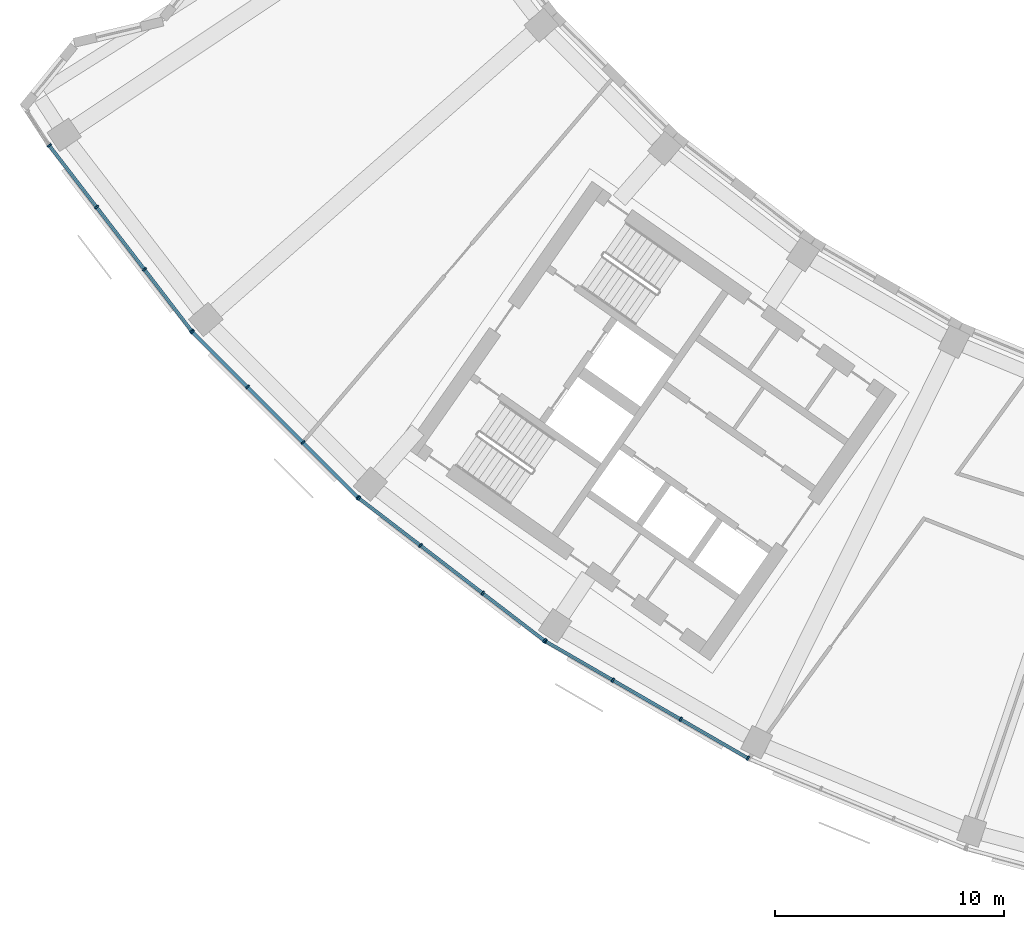
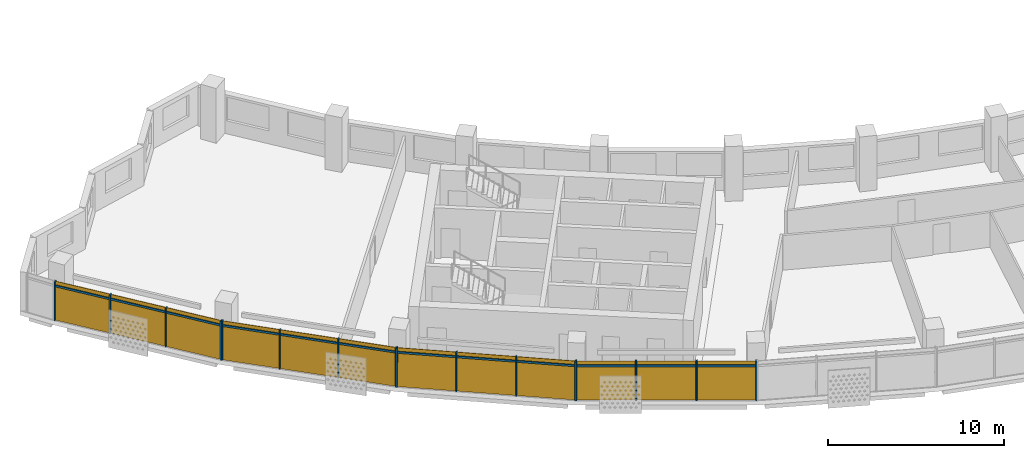
# One storey, part 18 of 28: 28 members, 4 curtain walls.
"""IFC4 building model written with IfcOpenShell, lengths in metres."""

from ifc_helpers import new_model, si_unit, direction, frame, origin, origin_2d, place, context, subcontext, project, spatial, rectangle, extrude, material, material_profile, profile_set, type_object, element, aggregate, save


model = new_model("IFC4")

# Units and contexts
model_context = context("Model", 3, precision=1e-05, world=origin(), true_north=direction((0.0, 1.0)))
body_context = subcontext(model_context, "Body", "Model", "MODEL_VIEW")
ifc_project = project(units=[si_unit("LENGTHUNIT", "METRE"), si_unit("AREAUNIT", "SQUARE_METRE"), si_unit("VOLUMEUNIT", "CUBIC_METRE"), si_unit("PLANEANGLEUNIT", "RADIAN"), si_unit("MASSUNIT", "GRAM", prefix="KILO")], contexts=[model_context])

# Member
ifc_material = material(Name="Aluminium 6063-T6 anodised", Category="aluminium")
ifc_material_profile_1 = material_profile(ifc_material, rectangle(XDim=0.199951171875, YDim=0.070068359375, at=origin_2d()))
ifc_profile_set_1 = profile_set([ifc_material_profile_1], Name="Aluminium 6063-T6 anodised")
member_type_1 = type_object("IfcMemberType", Name="Mullion 70 x 200 aluminium", PredefinedType="MULLION", material=ifc_profile_set_1)
site_placement = place(None, origin())
building_placement = place(site_placement, origin())
storey_placement = place(building_placement, frame((0.0, 0.0, 215.10009765625)))
member_1_placement = place(storey_placement, frame((-65.29443359375, -43.66259765625, 0.0), z_axis=(0.0, 0.0, 1.0), x_axis=(0.793353340291, 0.608761429009, 0.0)))
member_1 = element("IfcMember", 1, at=member_1_placement, type_object=member_type_1, Name="e-cw1-L51-out01/M00", PredefinedType="MULLION", context=body_context, shape_type="SweptSolid", body=[
    extrude(rectangle(XDim=0.199951171875, YDim=0.070068359375, at=origin_2d()), origin(), (0.0, 0.0, 1.0), 2.699951171875),
])

member_2_placement = place(storey_placement, frame((-63.22802734375, -46.35546875, 0.0), z_axis=(0.0, 0.0, 1.0), x_axis=(0.793353340291, 0.608761429009, 0.0)))
member_2 = element("IfcMember", 2, at=member_2_placement, type_object=member_type_1, Name="e-cw1-L51-out01/M01", PredefinedType="MULLION", context=body_context, shape_type="SweptSolid", body=[
    extrude(rectangle(XDim=0.199951171875, YDim=0.070068359375, at=origin_2d()), origin(), (0.0, 0.0, 1.0), 2.699951171875),
])

member_3_placement = place(storey_placement, frame((-61.140380859375, -49.075927734375, 0.0), z_axis=(0.0, 0.0, 1.0), x_axis=(0.793353340291, 0.608761429009, 0.0)))
member_3 = element("IfcMember", 3, at=member_3_placement, type_object=member_type_1, Name="e-cw1-L51-out01/M02", PredefinedType="MULLION", context=body_context, shape_type="SweptSolid", body=[
    extrude(rectangle(XDim=0.199951171875, YDim=0.070068359375, at=origin_2d()), origin(), (0.0, 0.0, 1.0), 2.699951171875),
])

member_4_placement = place(storey_placement, frame((-59.07421875, -51.768798828125, 0.0), z_axis=(0.0, 0.0, 1.0), x_axis=(0.793353340291, 0.608761429009, 0.0)))
member_4 = element("IfcMember", 4, at=member_4_placement, type_object=member_type_1, Name="e-cw1-L51-out01/M03", PredefinedType="MULLION", context=body_context, shape_type="SweptSolid", body=[
    extrude(rectangle(XDim=0.199951171875, YDim=0.070068359375, at=origin_2d()), origin(), (0.0, 0.0, 1.0), 2.699951171875),
])

member_5_placement = place(storey_placement, frame((-59.03662109375, -51.8115234375, 0.0), z_axis=(0.0, 0.0, 1.0), x_axis=(0.707106781187, 0.707106781187, 0.0)))
member_5 = element("IfcMember", 5, at=member_5_placement, type_object=member_type_1, Name="e-cw1-L51-out02/M00", PredefinedType="MULLION", context=body_context, shape_type="SweptSolid", body=[
    extrude(rectangle(XDim=0.199951171875, YDim=0.070068359375, at=origin_2d()), origin(), (0.0, 0.0, 1.0), 2.699951171875),
])

member_6_placement = place(storey_placement, frame((-56.63671875, -54.211669921875, 0.0), z_axis=(0.0, 0.0, 1.0), x_axis=(0.707106781187, 0.707106781187, 0.0)))
member_6 = element("IfcMember", 6, at=member_6_placement, type_object=member_type_1, Name="e-cw1-L51-out02/M01", PredefinedType="MULLION", context=body_context, shape_type="SweptSolid", body=[
    extrude(rectangle(XDim=0.199951171875, YDim=0.070068359375, at=origin_2d()), origin(), (0.0, 0.0, 1.0), 2.699951171875),
])

member_7_placement = place(storey_placement, frame((-54.211669921875, -56.63671875, 0.0), z_axis=(0.0, 0.0, 1.0), x_axis=(0.707106781187, 0.707106781187, 0.0)))
member_7 = element("IfcMember", 7, at=member_7_placement, type_object=member_type_1, Name="e-cw1-L51-out02/M02", PredefinedType="MULLION", context=body_context, shape_type="SweptSolid", body=[
    extrude(rectangle(XDim=0.199951171875, YDim=0.070068359375, at=origin_2d()), origin(), (0.0, 0.0, 1.0), 2.699951171875),
])

member_8_placement = place(storey_placement, frame((-51.8115234375, -59.03662109375, 0.0), z_axis=(0.0, 0.0, 1.0), x_axis=(0.707106781187, 0.707106781187, 0.0)))
member_8 = element("IfcMember", 8, at=member_8_placement, type_object=member_type_1, Name="e-cw1-L51-out02/M03", PredefinedType="MULLION", context=body_context, shape_type="SweptSolid", body=[
    extrude(rectangle(XDim=0.199951171875, YDim=0.070068359375, at=origin_2d()), origin(), (0.0, 0.0, 1.0), 2.699951171875),
])

member_9_placement = place(storey_placement, frame((-51.768798828125, -59.07421875, 0.0), z_axis=(0.0, 0.0, 1.0), x_axis=(0.608761429009, 0.793353340291, 0.0)))
member_9 = element("IfcMember", 9, at=member_9_placement, type_object=member_type_1, Name="e-cw1-L51-out03/M00", PredefinedType="MULLION", context=body_context, shape_type="SweptSolid", body=[
    extrude(rectangle(XDim=0.199951171875, YDim=0.070068359375, at=origin_2d()), origin(), (0.0, 0.0, 1.0), 2.699951171875),
])

member_10_placement = place(storey_placement, frame((-49.075927734375, -61.140380859375, 0.0), z_axis=(0.0, 0.0, 1.0), x_axis=(0.608761429009, 0.793353340291, 0.0)))
member_10 = element("IfcMember", 10, at=member_10_placement, type_object=member_type_1, Name="e-cw1-L51-out03/M01", PredefinedType="MULLION", context=body_context, shape_type="SweptSolid", body=[
    extrude(rectangle(XDim=0.199951171875, YDim=0.070068359375, at=origin_2d()), origin(), (0.0, 0.0, 1.0), 2.699951171875),
])

member_11_placement = place(storey_placement, frame((-46.35546875, -63.22802734375, 0.0), z_axis=(0.0, 0.0, 1.0), x_axis=(0.608761429009, 0.793353340291, 0.0)))
member_11 = element("IfcMember", 11, at=member_11_placement, type_object=member_type_1, Name="e-cw1-L51-out03/M02", PredefinedType="MULLION", context=body_context, shape_type="SweptSolid", body=[
    extrude(rectangle(XDim=0.199951171875, YDim=0.070068359375, at=origin_2d()), origin(), (0.0, 0.0, 1.0), 2.699951171875),
])

member_12_placement = place(storey_placement, frame((-43.66259765625, -65.29443359375, 0.0), z_axis=(0.0, 0.0, 1.0), x_axis=(0.608761429009, 0.793353340291, 0.0)))
member_12 = element("IfcMember", 12, at=member_12_placement, type_object=member_type_1, Name="e-cw1-L51-out03/M03", PredefinedType="MULLION", context=body_context, shape_type="SweptSolid", body=[
    extrude(rectangle(XDim=0.199951171875, YDim=0.070068359375, at=origin_2d()), origin(), (0.0, 0.0, 1.0), 2.699951171875),
])

member_13_placement = place(storey_placement, frame((-43.615234375, -65.325927734375, 0.0), z_axis=(0.0, 0.0, 1.0), x_axis=(0.5, 0.866025403784, 0.0)))
member_13 = element("IfcMember", 13, at=member_13_placement, type_object=member_type_1, Name="e-cw1-L51-out04/M00", PredefinedType="MULLION", context=body_context, shape_type="SweptSolid", body=[
    extrude(rectangle(XDim=0.199951171875, YDim=0.070068359375, at=origin_2d()), origin(), (0.0, 0.0, 1.0), 2.699951171875),
])

member_14_placement = place(storey_placement, frame((-40.67578125, -67.023193359375, 0.0), z_axis=(0.0, 0.0, 1.0), x_axis=(0.5, 0.866025403784, 0.0)))
member_14 = element("IfcMember", 14, at=member_14_placement, type_object=member_type_1, Name="e-cw1-L51-out04/M01", PredefinedType="MULLION", context=body_context, shape_type="SweptSolid", body=[
    extrude(rectangle(XDim=0.199951171875, YDim=0.070068359375, at=origin_2d()), origin(), (0.0, 0.0, 1.0), 2.699951171875),
])

member_15_placement = place(storey_placement, frame((-37.705810546875, -68.73779296875, 0.0), z_axis=(0.0, 0.0, 1.0), x_axis=(0.5, 0.866025403784, 0.0)))
member_15 = element("IfcMember", 15, at=member_15_placement, type_object=member_type_1, Name="e-cw1-L51-out04/M02", PredefinedType="MULLION", context=body_context, shape_type="SweptSolid", body=[
    extrude(rectangle(XDim=0.199951171875, YDim=0.070068359375, at=origin_2d()), origin(), (0.0, 0.0, 1.0), 2.699951171875),
])

member_16_placement = place(storey_placement, frame((-34.766357421875, -70.43505859375, 0.0), z_axis=(0.0, 0.0, 1.0), x_axis=(0.5, 0.866025403784, 0.0)))
member_16 = element("IfcMember", 16, at=member_16_placement, type_object=member_type_1, Name="e-cw1-L51-out04/M03", PredefinedType="MULLION", context=body_context, shape_type="SweptSolid", body=[
    extrude(rectangle(XDim=0.199951171875, YDim=0.070068359375, at=origin_2d()), origin(), (0.0, 0.0, 1.0), 2.699951171875),
])

ifc_material_profile_2 = material_profile(ifc_material, rectangle(XDim=0.139892578125, YDim=0.1201171875, at=origin_2d()))
ifc_profile_set_2 = profile_set([ifc_material_profile_2], Name="Aluminium 6063-T6 anodised")
member_type_2 = type_object("IfcMemberType", Name="Transom 120 x 140 aluminium", PredefinedType="USERDEFINED", material=ifc_profile_set_2)
member_17_placement = place(storey_placement, frame((-65.273193359375, -43.690185546875, 2.39990234375), z_axis=(0.608741393132, -0.793368713958, 0.0), x_axis=(0.793368713958, 0.608741393132, 0.0)))
member_17 = element("IfcMember", 17, at=member_17_placement, type_object=member_type_2, Name="e-cw1-L51-out01/T00", ObjectType="TRANSOM", PredefinedType="USERDEFINED", context=body_context, shape_type="SweptSolid", body=[
    extrude(rectangle(XDim=0.139892578125, YDim=0.1201171875, at=origin_2d()), origin(), (0.0, 0.0, 1.0), 3.324462890625),
])

member_18_placement = place(storey_placement, frame((-63.206787109375, -46.383056640625, 2.39990234375), z_axis=(0.608719861247, -0.793385234627, 0.0), x_axis=(0.793385234627, 0.608719861247, 0.0)))
member_18 = element("IfcMember", 18, at=member_18_placement, type_object=member_type_2, Name="e-cw1-L51-out01/T01", ObjectType="TRANSOM", PredefinedType="USERDEFINED", context=body_context, shape_type="SweptSolid", body=[
    extrude(rectangle(XDim=0.139892578125, YDim=0.1201171875, at=origin_2d()), origin(), (0.0, 0.0, 1.0), 3.359375),
])

member_19_placement = place(storey_placement, frame((-61.119140625, -49.103759765625, 2.39990234375), z_axis=(0.608741393132, -0.793368713958, 0.0), x_axis=(0.793368713958, 0.608741393132, 0.0)))
member_19 = element("IfcMember", 19, at=member_19_placement, type_object=member_type_2, Name="e-cw1-L51-out01/T02", ObjectType="TRANSOM", PredefinedType="USERDEFINED", context=body_context, shape_type="SweptSolid", body=[
    extrude(rectangle(XDim=0.139892578125, YDim=0.1201171875, at=origin_2d()), origin(), (0.0, 0.0, 1.0), 3.324462890625),
])

member_20_placement = place(storey_placement, frame((-59.011962890625, -51.83642578125, 2.39990234375), z_axis=(0.707106781187, -0.707106781187, 0.0), x_axis=(0.707106781187, 0.707106781187, 0.0)))
member_20 = element("IfcMember", 20, at=member_20_placement, type_object=member_type_2, Name="e-cw1-L51-out02/T00", ObjectType="TRANSOM", PredefinedType="USERDEFINED", context=body_context, shape_type="SweptSolid", body=[
    extrude(rectangle(XDim=0.139892578125, YDim=0.1201171875, at=origin_2d()), origin(), (0.0, 0.0, 1.0), 3.32421875),
])

member_21_placement = place(storey_placement, frame((-56.61181640625, -54.236572265625, 2.39990234375), z_axis=(0.707106781187, -0.707106781187, 0.0), x_axis=(0.707106781187, 0.707106781187, 0.0)))
member_21 = element("IfcMember", 21, at=member_21_placement, type_object=member_type_2, Name="e-cw1-L51-out02/T01", ObjectType="TRANSOM", PredefinedType="USERDEFINED", context=body_context, shape_type="SweptSolid", body=[
    extrude(rectangle(XDim=0.139892578125, YDim=0.1201171875, at=origin_2d()), origin(), (0.0, 0.0, 1.0), 3.359130859375),
])

member_22_placement = place(storey_placement, frame((-54.18701171875, -56.661376953125, 2.39990234375), z_axis=(0.707106781187, -0.707106781187, 0.0), x_axis=(0.707106781187, 0.707106781187, 0.0)))
member_22 = element("IfcMember", 22, at=member_22_placement, type_object=member_type_2, Name="e-cw1-L51-out02/T02", ObjectType="TRANSOM", PredefinedType="USERDEFINED", context=body_context, shape_type="SweptSolid", body=[
    extrude(rectangle(XDim=0.139892578125, YDim=0.1201171875, at=origin_2d()), origin(), (0.0, 0.0, 1.0), 3.32421875),
])

member_23_placement = place(storey_placement, frame((-51.7412109375, -59.095458984375, 2.39990234375), z_axis=(0.793368713958, -0.608741393132, 0.0), x_axis=(0.608741393132, 0.793368713958, 0.0)))
member_23 = element("IfcMember", 23, at=member_23_placement, type_object=member_type_2, Name="e-cw1-L51-out03/T00", ObjectType="TRANSOM", PredefinedType="USERDEFINED", context=body_context, shape_type="SweptSolid", body=[
    extrude(rectangle(XDim=0.139892578125, YDim=0.1201171875, at=origin_2d()), origin(), (0.0, 0.0, 1.0), 3.324462890625),
])

member_24_placement = place(storey_placement, frame((-49.04833984375, -61.161865234375, 2.39990234375), z_axis=(0.793385234627, -0.608719861247, 0.0), x_axis=(0.608719861247, 0.793385234627, 0.0)))
member_24 = element("IfcMember", 24, at=member_24_placement, type_object=member_type_2, Name="e-cw1-L51-out03/T01", ObjectType="TRANSOM", PredefinedType="USERDEFINED", context=body_context, shape_type="SweptSolid", body=[
    extrude(rectangle(XDim=0.139892578125, YDim=0.1201171875, at=origin_2d()), origin(), (0.0, 0.0, 1.0), 3.359375),
])

member_25_placement = place(storey_placement, frame((-46.32763671875, -63.24951171875, 2.39990234375), z_axis=(0.793368713958, -0.608741393132, 0.0), x_axis=(0.608741393132, 0.793368713958, 0.0)))
member_25 = element("IfcMember", 25, at=member_25_placement, type_object=member_type_2, Name="e-cw1-L51-out03/T02", ObjectType="TRANSOM", PredefinedType="USERDEFINED", context=body_context, shape_type="SweptSolid", body=[
    extrude(rectangle(XDim=0.139892578125, YDim=0.1201171875, at=origin_2d()), origin(), (0.0, 0.0, 1.0), 3.324462890625),
])

member_26_placement = place(storey_placement, frame((-43.5849609375, -65.343505859375, 2.39990234375), z_axis=(0.866029041019, -0.499993700073, 0.0), x_axis=(0.499993700073, 0.866029041019, 0.0)))
member_26 = element("IfcMember", 26, at=member_26_placement, type_object=member_type_2, Name="e-cw1-L51-out04/T00", ObjectType="TRANSOM", PredefinedType="USERDEFINED", context=body_context, shape_type="SweptSolid", body=[
    extrude(rectangle(XDim=0.139892578125, YDim=0.1201171875, at=origin_2d()), origin(), (0.0, 0.0, 1.0), 3.32421875),
])

member_27_placement = place(storey_placement, frame((-40.6455078125, -67.04052734375, 2.39990234375), z_axis=(0.866034314054, -0.499984566643, 0.0), x_axis=(0.499984566643, 0.866034314054, 0.0)))
member_27 = element("IfcMember", 27, at=member_27_placement, type_object=member_type_2, Name="e-cw1-L51-out04/T01", ObjectType="TRANSOM", PredefinedType="USERDEFINED", context=body_context, shape_type="SweptSolid", body=[
    extrude(rectangle(XDim=0.139892578125, YDim=0.1201171875, at=origin_2d()), origin(), (0.0, 0.0, 1.0), 3.359375),
])

member_28_placement = place(storey_placement, frame((-37.675537109375, -68.75537109375, 2.39990234375), z_axis=(0.866029041019, -0.499993700073, 0.0), x_axis=(0.499993700073, 0.866029041019, 0.0)))
member_28 = element("IfcMember", 28, at=member_28_placement, type_object=member_type_2, Name="e-cw1-L51-out04/T02", ObjectType="TRANSOM", PredefinedType="USERDEFINED", context=body_context, shape_type="SweptSolid", body=[
    extrude(rectangle(XDim=0.139892578125, YDim=0.1201171875, at=origin_2d()), origin(), (0.0, 0.0, 1.0), 3.32421875),
])

# Site, building, storey
site = spatial("IfcSite", under=ifc_project, at=site_placement, CompositionType="ELEMENT")
building = spatial("IfcBuilding", under=site, at=building_placement, Name="Qamariyya Broadcast Tower", CompositionType="ELEMENT")
storey = spatial("IfcBuildingStorey", under=building, at=storey_placement, Name="L51", CompositionType="ELEMENT", Elevation=215.10009765625)

# Curtain wall
curtain_wall_type = type_object("IfcCurtainWallType", Name="Unitised curtain wall, anodised aluminium", PredefinedType="NOTDEFINED", material=ifc_material)
curtain_wall_1_placement = place(storey_placement, origin())
curtain_wall_1 = element("IfcCurtainWall", 29, at=curtain_wall_1_placement, inside=storey, type_object=curtain_wall_type, Name="e-cw1-L51-out01", PredefinedType="NOTDEFINED", context=body_context, shape_type="SweptSolid", body=[
    extrude(rectangle(XDim=3.32421875, YDim=0.031982421875, at=origin_2d()), frame((-64.26123046875, -45.009033203125, 0.0), x_axis=(0.608753833159, -0.793359168734, 0.0)), (0.0, 0.0, 1.0), 2.340087890625),
    extrude(rectangle(XDim=3.32421875, YDim=0.031982421875, at=origin_2d()), frame((-64.26123046875, -45.009033203125, 2.4599609375), x_axis=(0.608753833159, -0.793359168734, 0.0)), (0.0, 0.0, 1.0), 0.239990234375),
    extrude(rectangle(XDim=3.359130859375, YDim=0.031982421875, at=origin_2d()), frame((-62.184326171875, -47.7158203125, 0.0), x_axis=(0.608753833159, -0.793359168734, 0.0)), (0.0, 0.0, 1.0), 2.340087890625),
    extrude(rectangle(XDim=3.359130859375, YDim=0.031982421875, at=origin_2d()), frame((-62.184326171875, -47.7158203125, 2.4599609375), x_axis=(0.608753833159, -0.793359168734, 0.0)), (0.0, 0.0, 1.0), 0.239990234375),
    extrude(rectangle(XDim=3.32421875, YDim=0.031982421875, at=origin_2d()), frame((-60.107421875, -50.42236328125, 0.0), x_axis=(0.608753833159, -0.793359168734, 0.0)), (0.0, 0.0, 1.0), 2.340087890625),
    extrude(rectangle(XDim=3.32421875, YDim=0.031982421875, at=origin_2d()), frame((-60.107421875, -50.42236328125, 2.4599609375), x_axis=(0.608753833159, -0.793359168734, 0.0)), (0.0, 0.0, 1.0), 0.239990234375),
])

aggregate(curtain_wall_1, [member_1, member_2, member_3, member_4, member_17, member_18, member_19])

curtain_wall_2_placement = place(storey_placement, origin())
curtain_wall_2 = element("IfcCurtainWall", 30, at=curtain_wall_2_placement, inside=storey, type_object=curtain_wall_type, Name="e-cw1-L51-out02", PredefinedType="NOTDEFINED", context=body_context, shape_type="SweptSolid", body=[
    extrude(rectangle(XDim=3.32421875, YDim=0.031982421875, at=origin_2d()), frame((-57.836669921875, -53.01171875, 0.0), x_axis=(0.707106781187, -0.707106781187, 0.0)), (0.0, 0.0, 1.0), 2.340087890625),
    extrude(rectangle(XDim=3.32421875, YDim=0.031982421875, at=origin_2d()), frame((-57.836669921875, -53.01171875, 2.4599609375), x_axis=(0.707106781187, -0.707106781187, 0.0)), (0.0, 0.0, 1.0), 0.239990234375),
    extrude(rectangle(XDim=3.359375, YDim=0.031982421875, at=origin_2d()), frame((-55.42431640625, -55.42431640625, 0.0), x_axis=(0.707106781187, -0.707106781187, 0.0)), (0.0, 0.0, 1.0), 2.340087890625),
    extrude(rectangle(XDim=3.359375, YDim=0.031982421875, at=origin_2d()), frame((-55.42431640625, -55.42431640625, 2.4599609375), x_axis=(0.707106781187, -0.707106781187, 0.0)), (0.0, 0.0, 1.0), 0.239990234375),
    extrude(rectangle(XDim=3.32421875, YDim=0.031982421875, at=origin_2d()), frame((-53.01171875, -57.836669921875, 0.0), x_axis=(0.707106781187, -0.707106781187, 0.0)), (0.0, 0.0, 1.0), 2.340087890625),
    extrude(rectangle(XDim=3.32421875, YDim=0.031982421875, at=origin_2d()), frame((-53.01171875, -57.836669921875, 2.4599609375), x_axis=(0.707106781187, -0.707106781187, 0.0)), (0.0, 0.0, 1.0), 0.239990234375),
])

aggregate(curtain_wall_2, [member_5, member_6, member_7, member_8, member_20, member_21, member_22])

curtain_wall_3_placement = place(storey_placement, origin())
curtain_wall_3 = element("IfcCurtainWall", 31, at=curtain_wall_3_placement, inside=storey, type_object=curtain_wall_type, Name="e-cw1-L51-out03", PredefinedType="NOTDEFINED", context=body_context, shape_type="SweptSolid", body=[
    extrude(rectangle(XDim=3.32421875, YDim=0.031982421875, at=origin_2d()), frame((-50.42236328125, -60.107421875, 0.0), x_axis=(0.793359168734, -0.608753833159, 0.0)), (0.0, 0.0, 1.0), 2.340087890625),
    extrude(rectangle(XDim=3.32421875, YDim=0.031982421875, at=origin_2d()), frame((-50.42236328125, -60.107421875, 2.4599609375), x_axis=(0.793359168734, -0.608753833159, 0.0)), (0.0, 0.0, 1.0), 0.239990234375),
    extrude(rectangle(XDim=3.359130859375, YDim=0.031982421875, at=origin_2d()), frame((-47.7158203125, -62.184326171875, 0.0), x_axis=(0.793359168734, -0.608753833159, 0.0)), (0.0, 0.0, 1.0), 2.340087890625),
    extrude(rectangle(XDim=3.359130859375, YDim=0.031982421875, at=origin_2d()), frame((-47.7158203125, -62.184326171875, 2.4599609375), x_axis=(0.793359168734, -0.608753833159, 0.0)), (0.0, 0.0, 1.0), 0.239990234375),
    extrude(rectangle(XDim=3.32421875, YDim=0.031982421875, at=origin_2d()), frame((-45.009033203125, -64.26123046875, 0.0), x_axis=(0.793359168734, -0.608753833159, 0.0)), (0.0, 0.0, 1.0), 2.340087890625),
    extrude(rectangle(XDim=3.32421875, YDim=0.031982421875, at=origin_2d()), frame((-45.009033203125, -64.26123046875, 2.4599609375), x_axis=(0.793359168734, -0.608753833159, 0.0)), (0.0, 0.0, 1.0), 0.239990234375),
])

aggregate(curtain_wall_3, [member_9, member_10, member_11, member_12, member_23, member_24, member_25])

curtain_wall_4_placement = place(storey_placement, origin())
curtain_wall_4 = element("IfcCurtainWall", 32, at=curtain_wall_4_placement, inside=storey, type_object=curtain_wall_type, Name="e-cw1-L51-out04", PredefinedType="NOTDEFINED", context=body_context, shape_type="SweptSolid", body=[
    extrude(rectangle(XDim=3.32421875, YDim=0.031982421875, at=origin_2d()), frame((-42.1455078125, -66.174560546875, 0.0), x_axis=(0.866027904674, -0.499995668308, 0.0)), (0.0, 0.0, 1.0), 2.340087890625),
    extrude(rectangle(XDim=3.32421875, YDim=0.031982421875, at=origin_2d()), frame((-42.1455078125, -66.174560546875, 2.4599609375), x_axis=(0.866027904674, -0.499995668308, 0.0)), (0.0, 0.0, 1.0), 0.239990234375),
    extrude(rectangle(XDim=3.359130859375, YDim=0.031982421875, at=origin_2d()), frame((-39.19091796875, -67.88037109375, 0.0), x_axis=(0.866027904674, -0.499995668308, 0.0)), (0.0, 0.0, 1.0), 2.340087890625),
    extrude(rectangle(XDim=3.359130859375, YDim=0.031982421875, at=origin_2d()), frame((-39.19091796875, -67.88037109375, 2.4599609375), x_axis=(0.866027904674, -0.499995668308, 0.0)), (0.0, 0.0, 1.0), 0.239990234375),
    extrude(rectangle(XDim=3.32421875, YDim=0.031982421875, at=origin_2d()), frame((-36.236083984375, -69.58642578125, 0.0), x_axis=(0.866027904674, -0.499995668308, 0.0)), (0.0, 0.0, 1.0), 2.340087890625),
    extrude(rectangle(XDim=3.32421875, YDim=0.031982421875, at=origin_2d()), frame((-36.236083984375, -69.58642578125, 2.4599609375), x_axis=(0.866027904674, -0.499995668308, 0.0)), (0.0, 0.0, 1.0), 0.239990234375),
])

aggregate(curtain_wall_4, [member_13, member_14, member_15, member_16, member_26, member_27, member_28])

save(model, "model.ifc")
